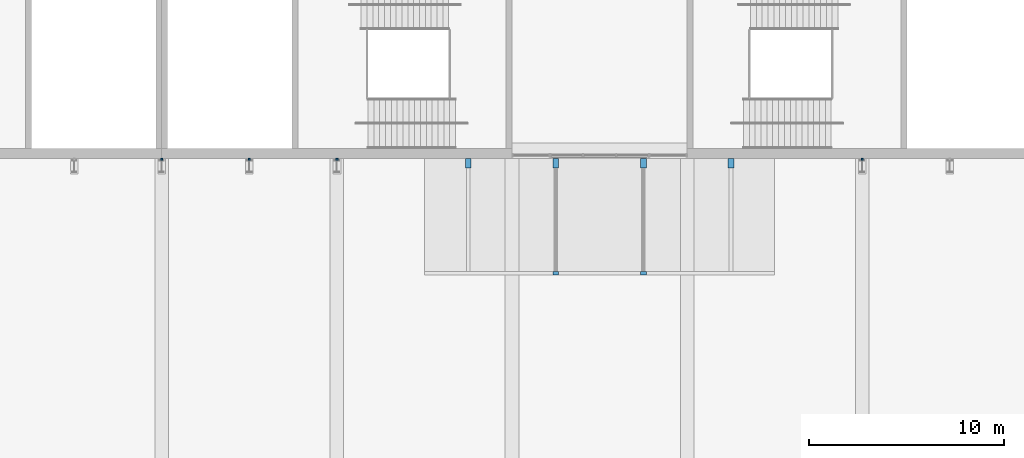
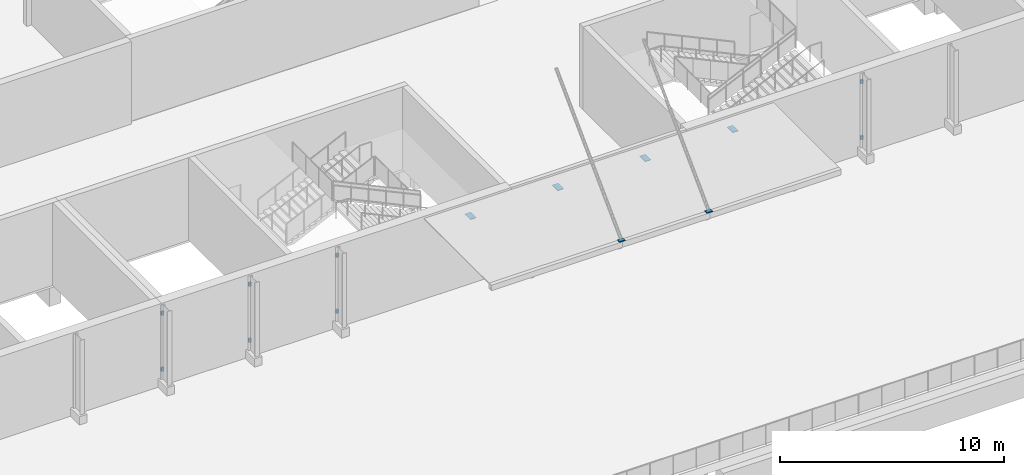
# One storey, part 127 of 168: 14 discrete accessories.
"""IFC4 building model written with IfcOpenShell, lengths in metres."""

from ifc_helpers import new_model, si_unit, direction, frame, origin, origin_2d, place, context, subcontext, project, spatial, rectangle, extrude, material, type_object, element, save


model = new_model("IFC4")

# Units and contexts
model_context = context("Model", 3, precision=1e-05, world=origin(), true_north=direction((0.0, 1.0)))
body_context = subcontext(model_context, "Body", "Model", "MODEL_VIEW")
ifc_project = project(units=[si_unit("LENGTHUNIT", "METRE"), si_unit("AREAUNIT", "SQUARE_METRE"), si_unit("VOLUMEUNIT", "CUBIC_METRE"), si_unit("PLANEANGLEUNIT", "RADIAN"), si_unit("MASSUNIT", "GRAM", prefix="KILO")], contexts=[model_context])

# Site, building, storey
site_placement = place(None, origin())
site = spatial("IfcSite", under=ifc_project, at=site_placement, CompositionType="ELEMENT")
building_placement = place(site_placement, origin())
building = spatial("IfcBuilding", under=site, at=building_placement, Name="Silverbay Arena", CompositionType="ELEMENT")
storey_placement = place(building_placement, frame((0.0, 0.0, 7.0)))
storey = spatial("IfcBuildingStorey", under=building, at=storey_placement, Name="L01", CompositionType="ELEMENT", Elevation=7.0)

# Discrete accessories
ifc_material = material(Name="Steel S355", Category="steel")
discrete_accessory_type = type_object("IfcDiscreteAccessoryType", Name="Steel bracket plate", PredefinedType="BRACKET", material=ifc_material)
for number, where, z_axis, x_axis, name in (
    (1, (177.75, 17.25, 3.8798828125), (0.0, 0.0, 1.0), (1.0, 0.0, 0.0), "Marquee root cleat plate"),
    (2, (182.25, 17.25, 3.8798828125), (0.0, 0.0, 1.0), (1.0, 0.0, 0.0), "Marquee root cleat plate"),
    (3, (186.75, 17.25, 3.8798828125), (0.0, 0.0, 1.0), (1.0, 0.0, 0.0), "Marquee root cleat plate"),
    (4, (191.25, 17.25, 3.8798828125), (0.0, 0.0, 1.0), (1.0, 0.0, 0.0), "Marquee root cleat plate"),
):
    element("IfcDiscreteAccessory", number, at=place(storey_placement, frame(where, z_axis=z_axis, x_axis=x_axis)), inside=storey, type_object=discrete_accessory_type, Name=name, PredefinedType="BRACKET", context=body_context, shape_type="SweptSolid", body=[
        extrude(rectangle(XDim=0.300048828125, YDim=0.5, at=origin_2d()), origin(), (0.0, 0.0, 1.0), 0.02001953125),
    ])
for number, where, z_axis, x_axis, name in (
    (5, (182.25, 11.60009765625, 4.3935546875), (0.0, 0.0, 1.0), (1.0, 0.0, 0.0), "Marquee tie lug plate"),
    (6, (186.75, 11.60009765625, 4.3935546875), (0.0, 0.0, 1.0), (1.0, 0.0, 0.0), "Marquee tie lug plate"),
):
    element("IfcDiscreteAccessory", number, at=place(storey_placement, frame(where, z_axis=z_axis, x_axis=x_axis)), inside=storey, type_object=discrete_accessory_type, Name=name, PredefinedType="BRACKET", context=body_context, shape_type="SweptSolid", body=[
        extrude(rectangle(XDim=0.300048828125, YDim=0.199951171875, at=origin_2d()), origin(), (0.0, 0.0, 1.0), 0.050048828125),
    ])
for number, where, z_axis, x_axis, name in (
    (7, (162.0, 17.449951171875, 0.85009765625), (0.0, 0.0, 1.0), (1.0, 0.0, 0.0), "Fin bracket"),
    (8, (162.0, 17.449951171875, 3.89990234375), (0.0, 0.0, 1.0), (1.0, 0.0, 0.0), "Fin bracket"),
    (9, (166.5, 17.449951171875, 0.85009765625), (0.0, 0.0, 1.0), (1.0, 0.0, 0.0), "Fin bracket"),
    (10, (166.5, 17.449951171875, 3.89990234375), (0.0, 0.0, 1.0), (1.0, 0.0, 0.0), "Fin bracket"),
    (11, (171.0, 17.449951171875, 0.85009765625), (0.0, 0.0, 1.0), (1.0, 0.0, 0.0), "Fin bracket"),
    (12, (171.0, 17.449951171875, 3.89990234375), (0.0, 0.0, 1.0), (1.0, 0.0, 0.0), "Fin bracket"),
    (13, (198.0, 17.449951171875, 0.85009765625), (0.0, 0.0, 1.0), (1.0, 0.0, 0.0), "Fin bracket"),
    (14, (198.0, 17.449951171875, 3.89990234375), (0.0, 0.0, 1.0), (1.0, 0.0, 0.0), "Fin bracket"),
):
    element("IfcDiscreteAccessory", number, at=place(storey_placement, frame(where, z_axis=z_axis, x_axis=x_axis)), inside=storey, type_object=discrete_accessory_type, Name=name, PredefinedType="BRACKET", context=body_context, shape_type="SweptSolid", body=[
        extrude(rectangle(XDim=0.1201171875, YDim=0.10009765625, at=origin_2d()), origin(), (0.0, 0.0, 1.0), 0.199951171875),
    ])

save(model, "model.ifc")
